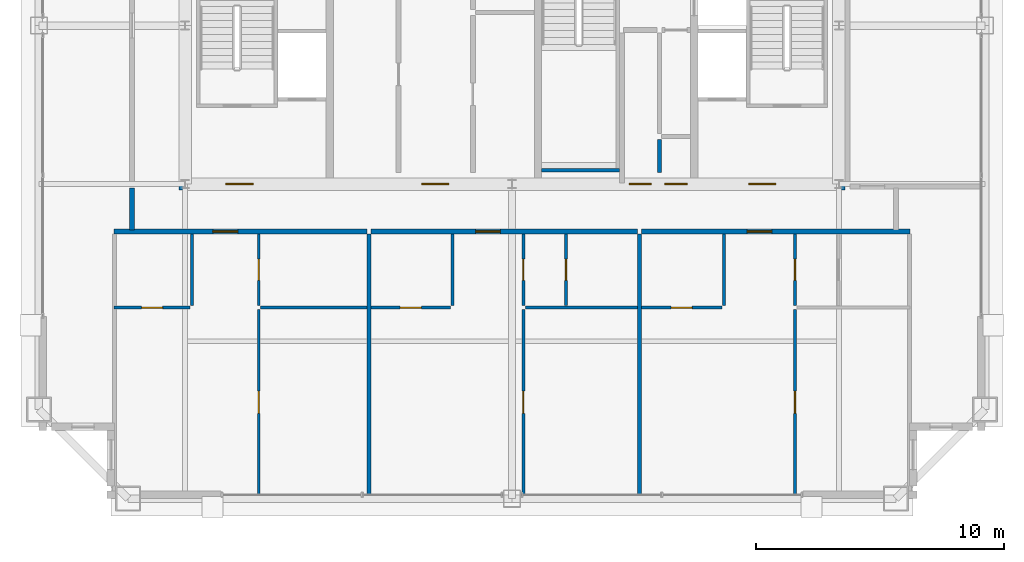
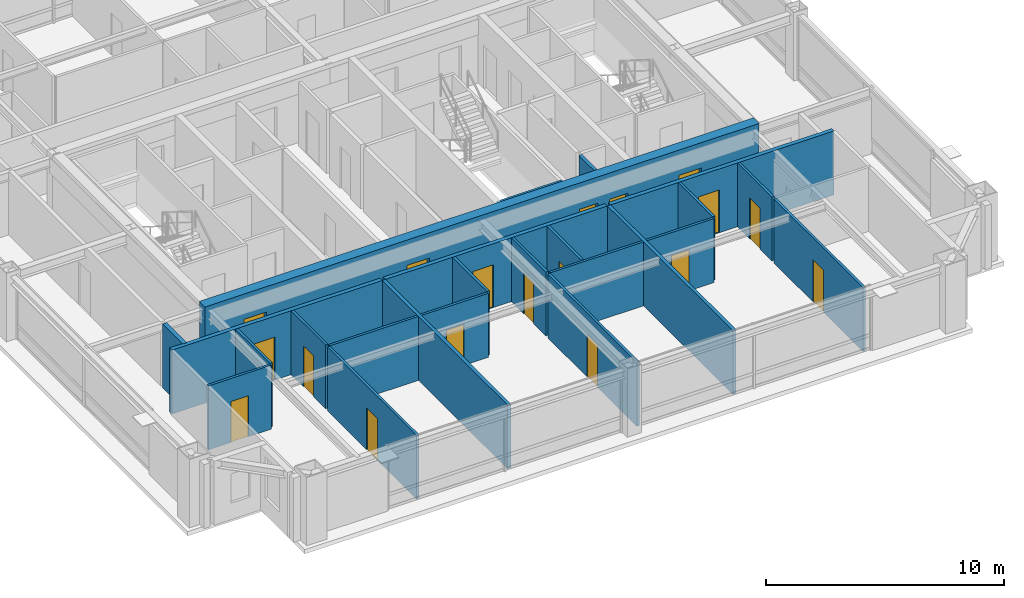
# One storey, part 30 of 35: 24 walls, 18 doors, 18 openings.
"""IFC4 building model written with IfcOpenShell, lengths in metres."""

import ifcopenshell
import ifcopenshell.guid

model = None  # the IFC model being written
_history = None  # IfcOwnerHistory: only IFC2X3 demands one
_inside = {}  # id of a spatial element -> (the spatial element, [elements in it])
_under = {}  # id of a project, library or spatial element -> (it, [spatial elements below it])
_declared = {}  # id of a project -> (the project, [libraries it declares])
_typed = {}  # id of a type object -> (the type object, [elements of that type])
_made_of = {}  # id of a material, layer set ... -> (it, [elements and type objects made of it])


def new_model(schema):
    """Start an empty IFC model of exactly this schema.

    Asked for "IFC4X3", IfcOpenShell would pick the latest addendum, in which some entities
    have other attributes; the version numbers below select the first issue.
    IFC2X3 requires an IfcOwnerHistory on every rooted entity: one is made here for all.
    """
    global model, _history
    if schema == "IFC4X3":
        model = ifcopenshell.file(schema_version=(4, 3, 0, 0))
    else:
        model = ifcopenshell.file(schema=schema)
    _inside.clear()
    _under.clear()
    _declared.clear()
    _typed.clear()
    _made_of.clear()
    _history = None
    if model.schema == "IFC2X3":
        org = make("IfcOrganization", Name="unknown")
        user = make(
            "IfcPersonAndOrganization",
            ThePerson=make("IfcPerson", FamilyName="unknown"),
            TheOrganization=org,
        )
        app = make(
            "IfcApplication",
            ApplicationDeveloper=org,
            Version="unknown",
            ApplicationFullName="unknown",
            ApplicationIdentifier="unknown",
        )
        _history = make(
            "IfcOwnerHistory",
            OwningUser=user,
            OwningApplication=app,
            ChangeAction="ADDED",
            CreationDate=0,
        )
    return model


def make(cls, **values):
    """One entity of the class cls with the attributes given. An attribute that is None is left unset."""
    return model.create_entity(
        cls, **{name: value for name, value in values.items() if value is not None}
    )


def rooted(cls, **values):
    """An entity with a GlobalId (a new one), such as an element, a storey or a relation."""
    return make(cls, GlobalId=ifcopenshell.guid.new(), OwnerHistory=_history, **values)


def si_unit(unit_type, name, prefix=None):
    """IfcSIUnit, for example si_unit("LENGTHUNIT", "METRE", prefix="MILLI")."""
    return make("IfcSIUnit", UnitType=unit_type, Prefix=prefix, Name=name)


def assignment(units):
    """IfcUnitAssignment: the units of a project."""
    return None if units is None else make("IfcUnitAssignment", Units=units)


def point(xyz):
    """IfcCartesianPoint."""
    return None if xyz is None else make("IfcCartesianPoint", Coordinates=xyz)


def direction(xyz):
    """IfcDirection."""
    return None if xyz is None else make("IfcDirection", DirectionRatios=xyz)


def frame(location, z_axis=None, x_axis=None):
    """IfcAxis2Placement3D, a coordinate frame: its origin and axes. An axis left out is left unset."""
    return make(
        "IfcAxis2Placement3D",
        Location=point(location),
        Axis=direction(z_axis),
        RefDirection=direction(x_axis),
    )


def frame_2d(location, x_axis=None):
    """IfcAxis2Placement2D, a coordinate frame in the plane: its origin and x axis."""
    return make(
        "IfcAxis2Placement2D", Location=point(location), RefDirection=direction(x_axis)
    )


def origin():
    """The frame at (0, 0, 0) with its axes left unset."""
    return frame((0.0, 0.0, 0.0))


def place(relative_to, where):
    """IfcLocalPlacement: puts the frame where relative to a parent placement (None: the world)."""
    return make(
        "IfcLocalPlacement", PlacementRelTo=relative_to, RelativePlacement=where
    )


def context(
    kind, dimensions, precision=None, world=None, true_north=None, identifier=None
):
    """IfcGeometricRepresentationContext, for example the 3D "Model" context."""
    return make(
        "IfcGeometricRepresentationContext",
        ContextIdentifier=identifier,
        ContextType=kind,
        CoordinateSpaceDimension=dimensions,
        Precision=precision,
        WorldCoordinateSystem=world,
        TrueNorth=true_north,
    )


def subcontext(parent, identifier, kind, view, scale=None):
    """IfcGeometricRepresentationSubContext, for example "Body" below "Model"."""
    return make(
        "IfcGeometricRepresentationSubContext",
        ContextIdentifier=identifier,
        ContextType=kind,
        ParentContext=parent,
        TargetScale=scale,
        TargetView=view,
    )


def project(units=None, contexts=None):
    """IfcProject with its units and contexts."""
    return rooted(
        "IfcProject",
        Name="project",
        RepresentationContexts=contexts,
        UnitsInContext=assignment(units),
    )


def spatial(cls, under=None, at=None, **own):
    """A site, building, storey or space (cls), placed at a placement, below another one or the project."""
    s = rooted(cls, ObjectPlacement=at, **own)
    if under is not None:
        _under.setdefault(under.id(), (under, []))[1].append(s)
    return s


def profile(cls, at=None, kind="AREA", **sizes):
    """A parametric profile (cls). Its sizes go by their IFC names, for example OverallWidth=200.0."""
    return make(cls, ProfileType=kind, Position=at, **sizes)


def rectangle(**sizes):
    """IfcRectangleProfileDef."""
    return profile("IfcRectangleProfileDef", **sizes)


def extrude(swept, where, along, depth):
    """IfcExtrudedAreaSolid: the profile swept, set in the frame where, extruded along a direction by depth."""
    return make(
        "IfcExtrudedAreaSolid",
        SweptArea=swept,
        Position=where,
        ExtrudedDirection=direction(along),
        Depth=depth,
    )


def shape(context_of_items, identifier, shape_type, items):
    """IfcShapeRepresentation: the items that make up one representation, for example the "Body"."""
    return make(
        "IfcShapeRepresentation",
        ContextOfItems=context_of_items,
        RepresentationIdentifier=identifier,
        RepresentationType=shape_type,
        Items=items,
    )


def source(mapping_origin, context_of_items, identifier, shape_type, items):
    """IfcRepresentationMap: a shape defined once, which mapped items show again and again."""
    return make(
        "IfcRepresentationMap",
        MappingOrigin=mapping_origin,
        MappedRepresentation=shape(context_of_items, identifier, shape_type, items),
    )


def transform(
    local_origin,
    x_axis=None,
    y_axis=None,
    z_axis=None,
    scale=None,
    scale2=None,
    scale3=None,
    uniform=True,
):
    """IfcCartesianTransformationOperator3D, or its non-uniform kind. x_axis, y_axis, z_axis: its Axis1, 2, 3."""
    if uniform:
        return make(
            "IfcCartesianTransformationOperator3D",
            Axis1=direction(x_axis),
            Axis2=direction(y_axis),
            LocalOrigin=point(local_origin),
            Scale=scale,
            Axis3=direction(z_axis),
        )
    return make(
        "IfcCartesianTransformationOperator3DnonUniform",
        Axis1=direction(x_axis),
        Axis2=direction(y_axis),
        LocalOrigin=point(local_origin),
        Scale=scale,
        Axis3=direction(z_axis),
        Scale2=scale2,
        Scale3=scale3,
    )


def mapped(mapping_source, mapping_target):
    """IfcMappedItem: shows the shape of a source again, moved by a transform."""
    return make(
        "IfcMappedItem", MappingSource=mapping_source, MappingTarget=mapping_target
    )


def material(Name=None, Category=None):
    """IfcMaterial."""
    return make("IfcMaterial", Name=Name, Category=Category)


def layer(
    of_material, thickness, ventilated=None, Name=None, Category=None, Priority=None
):
    """IfcMaterialLayer: one layer of a wall or slab, of a material (None: an air gap)."""
    return make(
        "IfcMaterialLayer",
        Material=of_material,
        LayerThickness=thickness,
        IsVentilated=ventilated,
        Name=Name,
        Category=Category,
        Priority=Priority,
    )


def layer_set(layers, Name=None):
    """IfcMaterialLayerSet."""
    return make("IfcMaterialLayerSet", MaterialLayers=layers, LayerSetName=Name)


def made_of(thing, what):
    """Note that an element or type object is made of a material, layer set ...; save() writes the relation."""
    if what is not None:
        _made_of.setdefault(what.id(), (what, []))[1].append(thing)
    return thing


def type_object(cls, material=None, **own):
    """A type object (cls), such as IfcWallType, which elements share."""
    return made_of(rooted(cls, **own), material)


def element(
    cls,
    number,
    at=None,
    inside=None,
    cuts=None,
    type_object=None,
    material=None,
    context=None,
    identifier="Body",
    shape_type=None,
    held_by="IfcProductDefinitionShape",
    body=None,
    shapes=None,
    **own,
):
    """One element of the class cls, such as IfcWall. Its Tag is "e" and its number.

    at: its placement. inside: the storey or other place that contains it. cuts: it is an
    opening in that element (IfcRelVoidsElement). A single representation is given by context,
    identifier, shape_type and body (its items); several are given by shapes. held_by: the class
    of the entity that holds the representations. save() writes the other relations.
    """
    e = rooted(cls, Tag="e%d" % number, ObjectPlacement=at, **own)
    if body is not None:
        shapes = [shape(context, identifier, shape_type, body)]
    if shapes is not None:
        e.Representation = make(held_by, Representations=shapes)
    if inside is not None:
        _inside.setdefault(inside.id(), (inside, []))[1].append(e)
    if cuts is not None:
        rooted(
            "IfcRelVoidsElement", RelatingBuildingElement=cuts, RelatedOpeningElement=e
        )
    if type_object is not None:
        _typed.setdefault(type_object.id(), (type_object, []))[1].append(e)
    return made_of(e, material)


def fill(opening, filler):
    """IfcRelFillsElement: the door or window that sits in an opening."""
    return rooted(
        "IfcRelFillsElement",
        RelatingOpeningElement=opening,
        RelatedBuildingElement=filler,
    )


def aggregate(whole, parts):
    """IfcRelAggregates: a whole, such as a stair, and the parts it consists of."""
    return rooted("IfcRelAggregates", RelatingObject=whole, RelatedObjects=parts)


def save(model, path):
    """Write the relations noted so far, then the file.

    IfcRelAggregates (storeys below a building ...), IfcRelContainedInSpatialStructure (elements
    in a storey), IfcRelDefinesByType, IfcRelAssociatesMaterial and IfcRelDeclares: one each for
    every whole, place, type object, material and project.
    """
    for whole, parts in _under.values():
        aggregate(whole, parts)
    for where, things in _inside.values():
        rooted(
            "IfcRelContainedInSpatialStructure",
            RelatedElements=things,
            RelatingStructure=where,
        )
    for kind, things in _typed.values():
        rooted("IfcRelDefinesByType", RelatedObjects=things, RelatingType=kind)
    for what, things in _made_of.values():
        rooted("IfcRelAssociatesMaterial", RelatedObjects=things, RelatingMaterial=what)
    for by, libraries in _declared.values():
        rooted("IfcRelDeclares", RelatingContext=by, RelatedDefinitions=libraries)
    model.write(path)


model = new_model("IFC4")

# Units and contexts
model_context = context("Model", 3, precision=1e-05, world=origin(), true_north=direction((0.0, 1.0)))
body_context = subcontext(model_context, "Body", "Model", "MODEL_VIEW")
ifc_project = project(units=[si_unit("LENGTHUNIT", "METRE"), si_unit("AREAUNIT", "SQUARE_METRE"), si_unit("VOLUMEUNIT", "CUBIC_METRE"), si_unit("PLANEANGLEUNIT", "RADIAN"), si_unit("MASSUNIT", "GRAM", prefix="KILO"), si_unit("THERMODYNAMICTEMPERATUREUNIT", "KELVIN"), si_unit("POWERUNIT", "WATT")], contexts=[model_context])

# Site, building, storey
site_placement = place(None, origin())
site = spatial("IfcSite", under=ifc_project, at=site_placement, CompositionType="ELEMENT")
building_placement = place(site_placement, origin())
building = spatial("IfcBuilding", under=site, at=building_placement, Name="Yuzanri Waterfront Tower", CompositionType="ELEMENT")
storey_placement = place(building_placement, frame((0.0, 0.0, 311.199951171875)))
storey = spatial("IfcBuildingStorey", under=building, at=storey_placement, Name="L83", CompositionType="ELEMENT", Elevation=311.199951171875)

# Wall, opening, door
ifc_material_1 = material(Name="Moisture-Resistant Gypsum Stud Wall", Category="gypsum")
ifc_layer_1 = layer(ifc_material_1, 0.1201171875)
ifc_layer_set_1 = layer_set([ifc_layer_1], Name="Moisture-Resistant Gypsum Stud Wall")
wall_type_1 = type_object("IfcWallType", Name="Bathroom and Kitchen Wet Partition 120", PredefinedType="PARTITIONING", material=ifc_layer_set_1)
wall_1_placement = place(storey_placement, frame((20.93994140625, 14.409912109375, 0.0), z_axis=(0.0, 0.0, 1.0), x_axis=(1.0, 0.0, 0.0)))
wall_1 = element("IfcWall", 1, at=wall_1_placement, inside=storey, type_object=wall_type_1, Name="L83 Partition UW-L83-HS1-SUB-1-S", PredefinedType="PARTITIONING", context=body_context, shape_type="SweptSolid", body=[
    extrude(rectangle(XDim=3.05908203125, YDim=0.1201171875, at=frame_2d((1.529541015625, 0.0))), origin(), (0.0, 0.0, 1.0), 3.280029296875),
])
opening_1_placement = place(wall_1_placement, frame((1.1044921875, 0.0, 0.0)))
opening_1 = element("IfcOpeningElement", 2, at=opening_1_placement, cuts=wall_1, Name="Opening ID-0850", PredefinedType="OPENING", context=body_context, shape_type="SweptSolid", body=[
    extrude(rectangle(XDim=0.85009765625, YDim=2.10009765625, at=frame_2d((0.425048828125, 1.050048828125))), frame((0.0, 0.074951171875, 0.0), z_axis=(0.0, -1.0, 0.0), x_axis=(1.0, 0.0, 0.0)), (0.0, 0.0, 1.0), 0.14990234375),
])
ifc_material_2 = material(Name="Moisture-Resistant Lacquered Timber", Category="wood")
door_type_1 = type_object("IfcDoorType", Name="En-Suite Bathroom and Kitchen Swing Door 850x2100", OperationType="NOTDEFINED", PredefinedType="DOOR", material=ifc_material_2)
shared_shape_1 = source(origin(), body_context, "Body", "SweptSolid", [
    extrude(rectangle(XDim=0.85009765625, YDim=2.10009765625, at=frame_2d((0.425048828125, 1.050048828125))), frame((0.0, 0.02490234375, 0.0), z_axis=(0.0, -1.0, 0.0), x_axis=(1.0, 0.0, 0.0)), (0.0, 0.0, 1.0), 0.050048828125),
])
door_1_placement = place(opening_1_placement, origin())
door_1 = element("IfcDoor", 3, at=door_1_placement, inside=storey, type_object=door_type_1, Name="L83 Suite Interior Room Door", OperationType="SINGLE_SWING_LEFT", OverallHeight=2.10009765625, OverallWidth=0.85009765625, PredefinedType="DOOR", context=body_context, shape_type="MappedRepresentation", body=[
    mapped(shared_shape_1, transform((0.0, 0.0, 0.0), scale=1.0)),
])
fill(opening_1, door_1)

wall_2_placement = place(storey_placement, frame((26.77490234375, 14.489990234375, 0.0), z_axis=(0.0, 0.0, 1.0), x_axis=(0.0, 1.0, 0.0)))
wall_2 = element("IfcWall", 4, at=wall_2_placement, inside=storey, type_object=wall_type_1, Name="L83 Partition UW-L83-HS1-SUB-2-W", PredefinedType="PARTITIONING", context=body_context, shape_type="SweptSolid", body=[
    extrude(rectangle(XDim=2.89990234375, YDim=0.1201171875, at=frame_2d((1.449951171875, 0.0))), origin(), (0.0, 0.0, 1.0), 3.280029296875),
])
opening_2_placement = place(wall_2_placement, frame((1.02490234375, 0.0, 0.0)))
opening_2 = element("IfcOpeningElement", 5, at=opening_2_placement, cuts=wall_2, Name="Opening ID-0850", PredefinedType="OPENING", context=body_context, shape_type="SweptSolid", body=[
    extrude(rectangle(XDim=0.85009765625, YDim=2.10009765625, at=frame_2d((0.425048828125, 1.050048828125))), frame((0.0, 0.074951171875, 0.0), z_axis=(0.0, -1.0, 0.0), x_axis=(1.0, 0.0, 0.0)), (0.0, 0.0, 1.0), 0.14990234375),
])
door_2_placement = place(opening_2_placement, origin())
door_2 = element("IfcDoor", 6, at=door_2_placement, inside=storey, type_object=door_type_1, Name="L83 Suite Interior Room Door", OperationType="SINGLE_SWING_RIGHT", OverallHeight=2.10009765625, OverallWidth=0.85009765625, PredefinedType="DOOR", context=body_context, shape_type="MappedRepresentation", body=[
    mapped(shared_shape_1, transform((0.0, 0.0, 0.0), scale=1.0)),
])
fill(opening_2, door_2)

wall_3_placement = place(storey_placement, frame((26.77490234375, 6.85009765625, 0.0), z_axis=(0.0, 0.0, 1.0), x_axis=(0.0, 1.0, 0.0)))
wall_3 = element("IfcWall", 7, at=wall_3_placement, inside=storey, type_object=wall_type_1, Name="L83 Partition UW-L83-HS1-SUB-3-W", PredefinedType="PARTITIONING", context=body_context, shape_type="SweptSolid", body=[
    extrude(rectangle(XDim=7.47998046875, YDim=0.1201171875, at=frame_2d((3.739990234375, 0.0))), origin(), (0.0, 0.0, 1.0), 3.280029296875),
])
opening_3_placement = place(wall_3_placement, frame((3.2900390625, 0.0, 0.0)))
opening_3 = element("IfcOpeningElement", 8, at=opening_3_placement, cuts=wall_3, Name="Opening ID-0900", PredefinedType="OPENING", context=body_context, shape_type="SweptSolid", body=[
    extrude(rectangle(XDim=0.89990234375, YDim=2.14990234375, at=frame_2d((0.449951171875, 1.074951171875))), frame((0.0, 0.074951171875, 0.0), z_axis=(0.0, -1.0, 0.0), x_axis=(1.0, 0.0, 0.0)), (0.0, 0.0, 1.0), 0.14990234375),
])
ifc_material_3 = material(Name="Stained Walnut Veneer Timber", Category="wood")
door_type_2 = type_object("IfcDoorType", Name="Bedroom and Study Interior Swing Door 900x2150", OperationType="NOTDEFINED", PredefinedType="DOOR", material=ifc_material_3)
shared_shape_2 = source(origin(), body_context, "Body", "SweptSolid", [
    extrude(rectangle(XDim=0.89990234375, YDim=2.14990234375, at=frame_2d((0.449951171875, 1.074951171875))), frame((0.0, 0.02490234375, 0.0), z_axis=(0.0, -1.0, 0.0), x_axis=(1.0, 0.0, 0.0)), (0.0, 0.0, 1.0), 0.050048828125),
])
door_3_placement = place(opening_3_placement, origin())
door_3 = element("IfcDoor", 9, at=door_3_placement, inside=storey, type_object=door_type_2, Name="L83 Suite Interior Room Door", OperationType="SINGLE_SWING_LEFT", OverallHeight=2.14990234375, OverallWidth=0.89990234375, PredefinedType="DOOR", context=body_context, shape_type="MappedRepresentation", body=[
    mapped(shared_shape_2, transform((0.0, 0.0, 0.0), scale=1.0)),
])
fill(opening_3, door_3)

wall_4_placement = place(storey_placement, frame((31.298095703125, 14.409912109375, 0.0), z_axis=(0.0, 0.0, 1.0), x_axis=(1.0, 0.0, 0.0)))
wall_4 = element("IfcWall", 10, at=wall_4_placement, inside=storey, type_object=wall_type_1, Name="L83 Partition UW-L83-HS2-SUB-1-S", PredefinedType="PARTITIONING", context=body_context, shape_type="SweptSolid", body=[
    extrude(rectangle(XDim=3.227783203125, YDim=0.1201171875, at=frame_2d((1.61376953125, 0.0))), origin(), (0.0, 0.0, 1.0), 3.280029296875),
])
opening_4_placement = place(wall_4_placement, frame((1.18896484375, 0.0, 0.0)))
opening_4 = element("IfcOpeningElement", 11, at=opening_4_placement, cuts=wall_4, Name="Opening ID-0850", PredefinedType="OPENING", context=body_context, shape_type="SweptSolid", body=[
    extrude(rectangle(XDim=0.85009765625, YDim=2.10009765625, at=frame_2d((0.425048828125, 1.050048828125))), frame((0.0, 0.074951171875, 0.0), z_axis=(0.0, -1.0, 0.0), x_axis=(1.0, 0.0, 0.0)), (0.0, 0.0, 1.0), 0.14990234375),
])
door_4_placement = place(opening_4_placement, origin())
door_4 = element("IfcDoor", 12, at=door_4_placement, inside=storey, type_object=door_type_1, Name="L83 Suite Interior Room Door", OperationType="SINGLE_SWING_LEFT", OverallHeight=2.10009765625, OverallWidth=0.85009765625, PredefinedType="DOOR", context=body_context, shape_type="MappedRepresentation", body=[
    mapped(shared_shape_1, transform((0.0, 0.0, 0.0), scale=1.0)),
])
fill(opening_4, door_4)

wall_5_placement = place(storey_placement, frame((39.178955078125, 14.489990234375, 0.0), z_axis=(0.0, 0.0, 1.0), x_axis=(0.0, 1.0, 0.0)))
wall_5 = element("IfcWall", 13, at=wall_5_placement, inside=storey, type_object=wall_type_1, Name="L83 Partition UW-L83-HS2-SUB-2-W", PredefinedType="PARTITIONING", context=body_context, shape_type="SweptSolid", body=[
    extrude(rectangle(XDim=2.89990234375, YDim=0.1201171875, at=frame_2d((1.449951171875, 0.0))), origin(), (0.0, 0.0, 1.0), 3.280029296875),
])
opening_5_placement = place(wall_5_placement, frame((1.02490234375, 0.0, 0.0)))
opening_5 = element("IfcOpeningElement", 14, at=opening_5_placement, cuts=wall_5, Name="Opening ID-0850", PredefinedType="OPENING", context=body_context, shape_type="SweptSolid", body=[
    extrude(rectangle(XDim=0.85009765625, YDim=2.10009765625, at=frame_2d((0.425048828125, 1.050048828125))), frame((0.0, 0.074951171875, 0.0), z_axis=(0.0, -1.0, 0.0), x_axis=(1.0, 0.0, 0.0)), (0.0, 0.0, 1.0), 0.14990234375),
])
door_5_placement = place(opening_5_placement, origin())
door_5 = element("IfcDoor", 15, at=door_5_placement, inside=storey, type_object=door_type_1, Name="L83 Suite Interior Room Door", OperationType="SINGLE_SWING_RIGHT", OverallHeight=2.10009765625, OverallWidth=0.85009765625, PredefinedType="DOOR", context=body_context, shape_type="MappedRepresentation", body=[
    mapped(shared_shape_1, transform((0.0, 0.0, 0.0), scale=1.0)),
])
fill(opening_5, door_5)

wall_6_placement = place(storey_placement, frame((37.458984375, 6.85009765625, 0.0), z_axis=(0.0, 0.0, 1.0), x_axis=(0.0, 1.0, 0.0)))
wall_6 = element("IfcWall", 16, at=wall_6_placement, inside=storey, type_object=wall_type_1, Name="L83 Partition UW-L83-HS2-SUB-3-W", PredefinedType="PARTITIONING", context=body_context, shape_type="SweptSolid", body=[
    extrude(rectangle(XDim=7.47998046875, YDim=0.1201171875, at=frame_2d((3.739990234375, 0.0))), origin(), (0.0, 0.0, 1.0), 3.280029296875),
])
opening_6_placement = place(wall_6_placement, frame((3.2900390625, 0.0, 0.0)))
opening_6 = element("IfcOpeningElement", 17, at=opening_6_placement, cuts=wall_6, Name="Opening ID-0900", PredefinedType="OPENING", context=body_context, shape_type="SweptSolid", body=[
    extrude(rectangle(XDim=0.89990234375, YDim=2.14990234375, at=frame_2d((0.449951171875, 1.074951171875))), frame((0.0, 0.074951171875, 0.0), z_axis=(0.0, -1.0, 0.0), x_axis=(1.0, 0.0, 0.0)), (0.0, 0.0, 1.0), 0.14990234375),
])
door_6_placement = place(opening_6_placement, origin())
door_6 = element("IfcDoor", 18, at=door_6_placement, inside=storey, type_object=door_type_2, Name="L83 Suite Interior Room Door", OperationType="SINGLE_SWING_LEFT", OverallHeight=2.14990234375, OverallWidth=0.89990234375, PredefinedType="DOOR", context=body_context, shape_type="MappedRepresentation", body=[
    mapped(shared_shape_2, transform((0.0, 0.0, 0.0), scale=1.0)),
])
fill(opening_6, door_6)

wall_7_placement = place(storey_placement, frame((37.458984375, 14.489990234375, 0.0), z_axis=(0.0, 0.0, 1.0), x_axis=(0.0, 1.0, 0.0)))
wall_7 = element("IfcWall", 19, at=wall_7_placement, inside=storey, type_object=wall_type_1, Name="L83 Partition UW-L83-HS2-SUB-4-W", PredefinedType="PARTITIONING", context=body_context, shape_type="SweptSolid", body=[
    extrude(rectangle(XDim=2.89990234375, YDim=0.1201171875, at=frame_2d((1.449951171875, 0.0))), origin(), (0.0, 0.0, 1.0), 3.280029296875),
])
opening_7_placement = place(wall_7_placement, frame((1.02490234375, 0.0, 0.0)))
opening_7 = element("IfcOpeningElement", 20, at=opening_7_placement, cuts=wall_7, Name="Opening ID-0850", PredefinedType="OPENING", context=body_context, shape_type="SweptSolid", body=[
    extrude(rectangle(XDim=0.85009765625, YDim=2.10009765625, at=frame_2d((0.425048828125, 1.050048828125))), frame((0.0, 0.074951171875, 0.0), z_axis=(0.0, -1.0, 0.0), x_axis=(1.0, 0.0, 0.0)), (0.0, 0.0, 1.0), 0.14990234375),
])
door_7_placement = place(opening_7_placement, origin())
door_7 = element("IfcDoor", 21, at=door_7_placement, inside=storey, type_object=door_type_1, Name="L83 Suite Interior Room Door", OperationType="SINGLE_SWING_RIGHT", OverallHeight=2.10009765625, OverallWidth=0.85009765625, PredefinedType="DOOR", context=body_context, shape_type="MappedRepresentation", body=[
    mapped(shared_shape_1, transform((0.0, 0.0, 0.0), scale=1.0)),
])
fill(opening_7, door_7)

wall_8_placement = place(storey_placement, frame((42.218994140625, 14.409912109375, 0.0), z_axis=(0.0, 0.0, 1.0), x_axis=(1.0, 0.0, 0.0)))
wall_8 = element("IfcWall", 22, at=wall_8_placement, inside=storey, type_object=wall_type_1, Name="L83 Partition UW-L83-HS3-SUB-1-S", PredefinedType="PARTITIONING", context=body_context, shape_type="SweptSolid", body=[
    extrude(rectangle(XDim=3.251953125, YDim=0.1201171875, at=frame_2d((1.6259765625, 0.0))), origin(), (0.0, 0.0, 1.0), 3.280029296875),
])
opening_8_placement = place(wall_8_placement, frame((1.200927734375, 0.0, 0.0)))
opening_8 = element("IfcOpeningElement", 23, at=opening_8_placement, cuts=wall_8, Name="Opening ID-0850", PredefinedType="OPENING", context=body_context, shape_type="SweptSolid", body=[
    extrude(rectangle(XDim=0.85009765625, YDim=2.10009765625, at=frame_2d((0.425048828125, 1.050048828125))), frame((0.0, 0.074951171875, 0.0), z_axis=(0.0, -1.0, 0.0), x_axis=(1.0, 0.0, 0.0)), (0.0, 0.0, 1.0), 0.14990234375),
])
door_8_placement = place(opening_8_placement, origin())
door_8 = element("IfcDoor", 24, at=door_8_placement, inside=storey, type_object=door_type_1, Name="L83 Suite Interior Room Door", OperationType="SINGLE_SWING_RIGHT", OverallHeight=2.10009765625, OverallWidth=0.85009765625, PredefinedType="DOOR", context=body_context, shape_type="MappedRepresentation", body=[
    mapped(shared_shape_1, transform((0.0, 0.0, 0.0), scale=1.0)),
])
fill(opening_8, door_8)

wall_9_placement = place(storey_placement, frame((48.427001953125, 6.85009765625, 0.0), z_axis=(0.0, 0.0, 1.0), x_axis=(0.0, 1.0, 0.0)))
wall_9 = element("IfcWall", 25, at=wall_9_placement, inside=storey, type_object=wall_type_1, Name="L83 Partition UW-L83-HS3-SUB-3-W", PredefinedType="PARTITIONING", context=body_context, shape_type="SweptSolid", body=[
    extrude(rectangle(XDim=7.47998046875, YDim=0.1201171875, at=frame_2d((3.739990234375, 0.0))), origin(), (0.0, 0.0, 1.0), 3.280029296875),
])
opening_9_placement = place(wall_9_placement, frame((3.2900390625, 0.0, 0.0)))
opening_9 = element("IfcOpeningElement", 26, at=opening_9_placement, cuts=wall_9, Name="Opening ID-0900", PredefinedType="OPENING", context=body_context, shape_type="SweptSolid", body=[
    extrude(rectangle(XDim=0.89990234375, YDim=2.14990234375, at=frame_2d((0.449951171875, 1.074951171875))), frame((0.0, 0.074951171875, 0.0), z_axis=(0.0, -1.0, 0.0), x_axis=(1.0, 0.0, 0.0)), (0.0, 0.0, 1.0), 0.14990234375),
])
door_9_placement = place(opening_9_placement, origin())
door_9 = element("IfcDoor", 27, at=door_9_placement, inside=storey, type_object=door_type_2, Name="L83 Suite Interior Room Door", OperationType="SINGLE_SWING_RIGHT", OverallHeight=2.14990234375, OverallWidth=0.89990234375, PredefinedType="DOOR", context=body_context, shape_type="MappedRepresentation", body=[
    mapped(shared_shape_2, transform((0.0, 0.0, 0.0), scale=1.0)),
])
fill(opening_9, door_9)

wall_10_placement = place(storey_placement, frame((48.427001953125, 14.489990234375, 0.0), z_axis=(0.0, 0.0, 1.0), x_axis=(0.0, 1.0, 0.0)))
wall_10 = element("IfcWall", 28, at=wall_10_placement, inside=storey, type_object=wall_type_1, Name="L83 Partition UW-L83-HS3-SUB-4-W", PredefinedType="PARTITIONING", context=body_context, shape_type="SweptSolid", body=[
    extrude(rectangle(XDim=2.89990234375, YDim=0.1201171875, at=frame_2d((1.449951171875, 0.0))), origin(), (0.0, 0.0, 1.0), 3.280029296875),
])
opening_10_placement = place(wall_10_placement, frame((1.02490234375, 0.0, 0.0)))
opening_10 = element("IfcOpeningElement", 29, at=opening_10_placement, cuts=wall_10, Name="Opening ID-0850", PredefinedType="OPENING", context=body_context, shape_type="SweptSolid", body=[
    extrude(rectangle(XDim=0.85009765625, YDim=2.10009765625, at=frame_2d((0.425048828125, 1.050048828125))), frame((0.0, 0.074951171875, 0.0), z_axis=(0.0, -1.0, 0.0), x_axis=(1.0, 0.0, 0.0)), (0.0, 0.0, 1.0), 0.14990234375),
])
door_10_placement = place(opening_10_placement, origin())
door_10 = element("IfcDoor", 30, at=door_10_placement, inside=storey, type_object=door_type_1, Name="L83 Suite Interior Room Door", OperationType="SINGLE_SWING_LEFT", OverallHeight=2.10009765625, OverallWidth=0.85009765625, PredefinedType="DOOR", context=body_context, shape_type="MappedRepresentation", body=[
    mapped(shared_shape_1, transform((0.0, 0.0, 0.0), scale=1.0)),
])
fill(opening_10, door_10)

# Wall, openings, doors
ifc_material_4 = material(Name="Concrete C45", Category="concrete")
ifc_layer_2 = layer(ifc_material_4, 0.47998046875)
ifc_layer_set_2 = layer_set([ifc_layer_2], Name="Concrete C45")
wall_type_2 = type_object("IfcWallType", Name="Concrete C45 High-Rise Core Shear Wall 480", PredefinedType="SHEAR", material=ifc_layer_set_2)
wall_11_placement = place(storey_placement, frame((23.56005859375, 19.39990234375, 0.0), z_axis=(0.0, 0.0, 1.0), x_axis=(1.0, 0.0, 0.0)))
wall_11 = element("IfcWall", 31, at=wall_11_placement, inside=storey, type_object=wall_type_2, Name="L83 Core South Shear Wall", PredefinedType="SHEAR", context=body_context, shape_type="SweptSolid", body=[
    extrude(rectangle(XDim=26.8798828125, YDim=0.47998046875, at=frame_2d((13.43994140625, 0.0))), origin(), (0.0, 0.0, 1.0), 3.5),
])
opening_11_placement = place(wall_11_placement, frame((1.889892578125, 0.0, 0.0)))
opening_11 = element("IfcOpeningElement", 32, at=opening_11_placement, cuts=wall_11, Name="Opening FD-1100", PredefinedType="OPENING", context=body_context, shape_type="SweptSolid", body=[
    extrude(rectangle(XDim=1.10009765625, YDim=2.199951171875, at=frame_2d((0.550048828125, 1.10009765625))), frame((0.0, 0.2548828125, 0.0), z_axis=(0.0, -1.0, 0.0), x_axis=(1.0, 0.0, 0.0)), (0.0, 0.0, 1.0), 0.509765625),
])
opening_12_placement = place(wall_11_placement, frame((9.7900390625, 0.0, 0.0)))
opening_12 = element("IfcOpeningElement", 33, at=opening_12_placement, cuts=wall_11, Name="Opening FD-1100", PredefinedType="OPENING", context=body_context, shape_type="SweptSolid", body=[
    extrude(rectangle(XDim=1.10009765625, YDim=2.199951171875, at=frame_2d((0.550048828125, 1.10009765625))), frame((0.0, 0.2548828125, 0.0), z_axis=(0.0, -1.0, 0.0), x_axis=(1.0, 0.0, 0.0)), (0.0, 0.0, 1.0), 0.509765625),
])
opening_13_placement = place(wall_11_placement, frame((22.989990234375, 0.0, 0.0)))
opening_13 = element("IfcOpeningElement", 34, at=opening_13_placement, cuts=wall_11, Name="Opening FD-1100", PredefinedType="OPENING", context=body_context, shape_type="SweptSolid", body=[
    extrude(rectangle(XDim=1.10009765625, YDim=2.199951171875, at=frame_2d((0.550048828125, 1.10009765625))), frame((0.0, 0.2548828125, 0.0), z_axis=(0.0, -1.0, 0.0), x_axis=(1.0, 0.0, 0.0)), (0.0, 0.0, 1.0), 0.509765625),
])
opening_14_placement = place(wall_11_placement, frame((19.610107421875, 0.0, 0.0)))
opening_14 = element("IfcOpeningElement", 35, at=opening_14_placement, cuts=wall_11, Name="Opening FD-0900", PredefinedType="OPENING", context=body_context, shape_type="SweptSolid", body=[
    extrude(rectangle(XDim=0.89990234375, YDim=2.14990234375, at=frame_2d((0.449951171875, 1.074951171875))), frame((0.0, 0.2548828125, 0.0), z_axis=(0.0, -1.0, 0.0), x_axis=(1.0, 0.0, 0.0)), (0.0, 0.0, 1.0), 0.509765625),
])
opening_15_placement = place(wall_11_placement, frame((18.169921875, 0.0, 0.0)))
opening_15 = element("IfcOpeningElement", 36, at=opening_15_placement, cuts=wall_11, Name="Opening FD-0900", PredefinedType="OPENING", context=body_context, shape_type="SweptSolid", body=[
    extrude(rectangle(XDim=0.89990234375, YDim=2.14990234375, at=frame_2d((0.449951171875, 1.074951171875))), frame((0.0, 0.2548828125, 0.0), z_axis=(0.0, -1.0, 0.0), x_axis=(1.0, 0.0, 0.0)), (0.0, 0.0, 1.0), 0.509765625),
])
ifc_material_5 = material(Name="Painted Galvanized Fire Steel", Category="steel")
door_type_3 = type_object("IfcDoorType", Name="Smoke-Proof Stair and Lobby Fire Door 1100x2200", OperationType="NOTDEFINED", PredefinedType="DOOR", material=ifc_material_5)
shared_shape_3 = source(origin(), body_context, "Body", "SweptSolid", [
    extrude(rectangle(XDim=1.10009765625, YDim=2.199951171875, at=frame_2d((0.550048828125, 1.10009765625))), frame((0.0, 0.02490234375, 0.0), z_axis=(0.0, -1.0, 0.0), x_axis=(1.0, 0.0, 0.0)), (0.0, 0.0, 1.0), 0.050048828125),
])
door_11_placement = place(opening_11_placement, origin())
door_11 = element("IfcDoor", 37, at=door_11_placement, inside=storey, type_object=door_type_3, Name="L83 West Firefighting Lobby Door", OperationType="SINGLE_SWING_LEFT", OverallHeight=2.199951171875, OverallWidth=1.10009765625, PredefinedType="DOOR", context=body_context, shape_type="MappedRepresentation", body=[
    mapped(shared_shape_3, transform((0.0, 0.0, 0.0), scale=1.0)),
])
fill(opening_11, door_11)
door_12_placement = place(opening_12_placement, origin())
door_12 = element("IfcDoor", 38, at=door_12_placement, inside=storey, type_object=door_type_3, Name="L83 Central Lift Lobby South Door", OperationType="SINGLE_SWING_RIGHT", OverallHeight=2.199951171875, OverallWidth=1.10009765625, PredefinedType="DOOR", context=body_context, shape_type="MappedRepresentation", body=[
    mapped(shared_shape_3, transform((0.0, 0.0, 0.0), scale=1.0)),
])
fill(opening_12, door_12)
door_13_placement = place(opening_13_placement, origin())
door_13 = element("IfcDoor", 39, at=door_13_placement, inside=storey, type_object=door_type_3, Name="L83 East Firefighting Lobby Door", OperationType="SINGLE_SWING_LEFT", OverallHeight=2.199951171875, OverallWidth=1.10009765625, PredefinedType="DOOR", context=body_context, shape_type="MappedRepresentation", body=[
    mapped(shared_shape_3, transform((0.0, 0.0, 0.0), scale=1.0)),
])
fill(opening_13, door_13)
ifc_material_6 = material(Name="Painted Galvanized Fire Steel", Category="steel")
door_type_4 = type_object("IfcDoorType", Name="Riser and Service Room Fire Door 900x2150", OperationType="NOTDEFINED", PredefinedType="DOOR", material=ifc_material_6)
shared_shape_4 = source(origin(), body_context, "Body", "SweptSolid", [
    extrude(rectangle(XDim=0.89990234375, YDim=2.14990234375, at=frame_2d((0.449951171875, 1.074951171875))), frame((0.0, 0.02490234375, 0.0), z_axis=(0.0, -1.0, 0.0), x_axis=(1.0, 0.0, 0.0)), (0.0, 0.0, 1.0), 0.050048828125),
])
door_14_placement = place(opening_14_placement, origin())
door_14 = element("IfcDoor", 40, at=door_14_placement, inside=storey, type_object=door_type_4, Name="L83 East Wet Riser Door", OperationType="SINGLE_SWING_LEFT", OverallHeight=2.14990234375, OverallWidth=0.89990234375, PredefinedType="DOOR", context=body_context, shape_type="MappedRepresentation", body=[
    mapped(shared_shape_4, transform((0.0, 0.0, 0.0), scale=1.0)),
])
fill(opening_14, door_14)
door_15_placement = place(opening_15_placement, origin())
door_15 = element("IfcDoor", 41, at=door_15_placement, inside=storey, type_object=door_type_4, Name="L83 Cleaners Store Room", OperationType="SINGLE_SWING_RIGHT", OverallHeight=2.14990234375, OverallWidth=0.89990234375, PredefinedType="DOOR", context=body_context, shape_type="MappedRepresentation", body=[
    mapped(shared_shape_4, transform((0.0, 0.0, 0.0), scale=1.0)),
])
fill(opening_15, door_15)

# Wall, opening, door
ifc_material_7 = material(Name="Autoclaved Aerated Concrete Blockwork", Category="masonry")
ifc_layer_3 = layer(ifc_material_7, 0.199951171875)
ifc_layer_set_3 = layer_set([ifc_layer_3], Name="Autoclaved Aerated Concrete Blockwork")
wall_type_3 = type_object("IfcWallType", Name="Corridor and Unit Party Fire Wall 200", PredefinedType="PARTITIONING", material=ifc_layer_set_3)
wall_12_placement = place(storey_placement, frame((20.93994140625, 17.489990234375, 0.0), z_axis=(0.0, 0.0, 1.0), x_axis=(1.0, 0.0, 0.0)))
wall_12 = element("IfcWall", 42, at=wall_12_placement, inside=storey, type_object=wall_type_3, Name="L83 Partition UW-L83-HS1-CN", PredefinedType="PARTITIONING", context=body_context, shape_type="SweptSolid", body=[
    extrude(rectangle(XDim=10.197998046875, YDim=0.199951171875, at=frame_2d((5.09912109375, 0.0))), origin(), (0.0, 0.0, 1.0), 3.280029296875),
])
opening_16_placement = place(wall_12_placement, frame((3.987060546875, 0.0, 0.0)))
opening_16 = element("IfcOpeningElement", 43, at=opening_16_placement, cuts=wall_12, Name="Opening FD-1000", PredefinedType="OPENING", context=body_context, shape_type="SweptSolid", body=[
    extrude(rectangle(XDim=1.0, YDim=2.199951171875, at=frame_2d((0.5, 1.10009765625))), frame((0.0, 0.11474609375, 0.0), z_axis=(0.0, -1.0, 0.0), x_axis=(1.0, 0.0, 0.0)), (0.0, 0.0, 1.0), 0.229736328125),
])
ifc_material_8 = material(Name="Engineered Oak Fire-Rated Timber", Category="wood")
door_type_5 = type_object("IfcDoorType", Name="Guestroom and Apartment Entrance Fire Door 1000x2200", OperationType="NOTDEFINED", PredefinedType="DOOR", material=ifc_material_8)
shared_shape_5 = source(origin(), body_context, "Body", "SweptSolid", [
    extrude(rectangle(XDim=1.0, YDim=2.199951171875, at=frame_2d((0.5, 1.10009765625))), frame((0.0, 0.02490234375, 0.0), z_axis=(0.0, -1.0, 0.0), x_axis=(1.0, 0.0, 0.0)), (0.0, 0.0, 1.0), 0.050048828125),
])
door_16_placement = place(opening_16_placement, origin())
door_16 = element("IfcDoor", 44, at=door_16_placement, inside=storey, type_object=door_type_5, Name="L83 Apartment Living Room Entrance Door", OperationType="SINGLE_SWING_RIGHT", OverallHeight=2.199951171875, OverallWidth=1.0, PredefinedType="DOOR", context=body_context, shape_type="MappedRepresentation", body=[
    mapped(shared_shape_5, transform((0.0, 0.0, 0.0), scale=1.0)),
])
fill(opening_16, door_16)

wall_13_placement = place(storey_placement, frame((31.298095703125, 17.489990234375, 0.0), z_axis=(0.0, 0.0, 1.0), x_axis=(1.0, 0.0, 0.0)))
wall_13 = element("IfcWall", 45, at=wall_13_placement, inside=storey, type_object=wall_type_3, Name="L83 Partition UW-L83-HS2-CN", PredefinedType="PARTITIONING", context=body_context, shape_type="SweptSolid", body=[
    extrude(rectangle(XDim=10.760986328125, YDim=0.199951171875, at=frame_2d((5.38037109375, 0.0))), origin(), (0.0, 0.0, 1.0), 3.280029296875),
])
opening_17_placement = place(wall_13_placement, frame((4.23388671875, 0.0, 0.0)))
opening_17 = element("IfcOpeningElement", 46, at=opening_17_placement, cuts=wall_13, Name="Opening FD-1000", PredefinedType="OPENING", context=body_context, shape_type="SweptSolid", body=[
    extrude(rectangle(XDim=1.0, YDim=2.199951171875, at=frame_2d((0.5, 1.10009765625))), frame((0.0, 0.11474609375, 0.0), z_axis=(0.0, -1.0, 0.0), x_axis=(1.0, 0.0, 0.0)), (0.0, 0.0, 1.0), 0.229736328125),
])
door_17_placement = place(opening_17_placement, origin())
door_17 = element("IfcDoor", 47, at=door_17_placement, inside=storey, type_object=door_type_5, Name="L83 Apartment Living Room Entrance Door", OperationType="SINGLE_SWING_RIGHT", OverallHeight=2.199951171875, OverallWidth=1.0, PredefinedType="DOOR", context=body_context, shape_type="MappedRepresentation", body=[
    mapped(shared_shape_5, transform((0.0, 0.0, 0.0), scale=1.0)),
])
fill(opening_17, door_17)

wall_14_placement = place(storey_placement, frame((42.218994140625, 17.489990234375, 0.0), z_axis=(0.0, 0.0, 1.0), x_axis=(1.0, 0.0, 0.0)))
wall_14 = element("IfcWall", 48, at=wall_14_placement, inside=storey, type_object=wall_type_3, Name="L83 Partition UW-L83-HS3-CN", PredefinedType="PARTITIONING", context=body_context, shape_type="SweptSolid", body=[
    extrude(rectangle(XDim=10.841064453125, YDim=0.199951171875, at=frame_2d((5.42041015625, 0.0))), origin(), (0.0, 0.0, 1.0), 3.280029296875),
])
opening_18_placement = place(wall_14_placement, frame((4.27001953125, 0.0, 0.0)))
opening_18 = element("IfcOpeningElement", 49, at=opening_18_placement, cuts=wall_14, Name="Opening FD-1000", PredefinedType="OPENING", context=body_context, shape_type="SweptSolid", body=[
    extrude(rectangle(XDim=1.0, YDim=2.199951171875, at=frame_2d((0.5, 1.10009765625))), frame((0.0, 0.11474609375, 0.0), z_axis=(0.0, -1.0, 0.0), x_axis=(1.0, 0.0, 0.0)), (0.0, 0.0, 1.0), 0.229736328125),
])
door_18_placement = place(opening_18_placement, origin())
door_18 = element("IfcDoor", 50, at=door_18_placement, inside=storey, type_object=door_type_5, Name="L83 Apartment Living Room Entrance Door", OperationType="SINGLE_SWING_LEFT", OverallHeight=2.199951171875, OverallWidth=1.0, PredefinedType="DOOR", context=body_context, shape_type="MappedRepresentation", body=[
    mapped(shared_shape_5, transform((0.0, 0.0, 0.0), scale=1.0)),
])
fill(opening_18, door_18)

# Walls
ifc_material_9 = material(Name="Concrete C40", Category="concrete")
ifc_layer_4 = layer(ifc_material_9, 0.139892578125)
ifc_layer_set_4 = layer_set([ifc_layer_4], Name="Concrete C40")
wall_type_4 = type_object("IfcWallType", Name="Core Stair Liner and Hoistway Shaft Wall 140", PredefinedType="SOLIDWALL", material=ifc_layer_set_4)
shared_shape_6 = source(origin(), body_context, "Body", "SweptSolid", [
    extrude(rectangle(XDim=3.14013671875, YDim=0.139892578125, at=frame_2d((1.570068359375, 0.0))), origin(), (0.0, 0.0, 1.0), 3.280029296875),
])
wall_15_placement = place(storey_placement, frame((38.199951171875, 19.949951171875, 0.0), z_axis=(0.0, 0.0, 1.0), x_axis=(1.0, 0.0, 0.0)))
element("IfcWall", 51, at=wall_15_placement, inside=storey, type_object=wall_type_4, Name="L83 Stair ST-03 South Shaft Wall", PredefinedType="SOLIDWALL", context=body_context, shape_type="MappedRepresentation", body=[
    mapped(shared_shape_6, transform((0.0, 0.0, 0.0), scale=1.0)),
])
ifc_material_10 = material(Name="Gypsum Fireboard Acoustic Stud Wall", Category="gypsum")
ifc_layer_5 = layer(ifc_material_10, 0.159912109375)
ifc_layer_set_5 = layer_set([ifc_layer_5], Name="Gypsum Fireboard Acoustic Stud Wall")
wall_type_5 = type_object("IfcWallType", Name="Acoustic Suite Demising Partition 160", PredefinedType="PARTITIONING", material=ifc_layer_set_5)
shared_shape_7 = source(origin(), body_context, "Body", "SweptSolid", [
    extrude(rectangle(XDim=1.33984375, YDim=0.159912109375, at=frame_2d((0.669921875, 0.0))), origin(), (0.0, 0.0, 1.0), 3.280029296875),
])
wall_16_placement = place(storey_placement, frame((42.949951171875, 19.860107421875, 0.0), z_axis=(0.0, 0.0, 1.0), x_axis=(0.0, 1.0, 0.0)))
element("IfcWall", 52, at=wall_16_placement, inside=storey, type_object=wall_type_5, Name="L83 East Wet Riser West Wall", PredefinedType="PARTITIONING", context=body_context, shape_type="MappedRepresentation", body=[
    mapped(shared_shape_7, transform((0.0, 0.0, 0.0), scale=1.0)),
])
shared_shape_8 = source(origin(), body_context, "Body", "SweptSolid", [
    extrude(rectangle(XDim=1.699951171875, YDim=0.199951171875, at=frame_2d((0.85009765625, 0.0))), origin(), (0.0, 0.0, 1.0), 3.280029296875),
])
wall_17_placement = place(storey_placement, frame((21.64990234375, 17.550048828125, 0.0), z_axis=(0.0, 0.0, 1.0), x_axis=(0.0, 1.0, 0.0)))
element("IfcWall", 53, at=wall_17_placement, inside=storey, type_object=wall_type_3, Name="L83 South Foyer West End Wall", PredefinedType="PARTITIONING", context=body_context, shape_type="MappedRepresentation", body=[
    mapped(shared_shape_8, transform((0.0, 0.0, 0.0), scale=1.0)),
])
shared_shape_9 = source(origin(), body_context, "Body", "SweptSolid", [
    extrude(rectangle(XDim=10.539794921875, YDim=0.159912109375, at=frame_2d((5.27001953125, 0.0))), origin(), (0.0, 0.0, 1.0), 3.280029296875),
])
for number, where, z_axis, x_axis, name in (
    (54, (31.218017578125, 6.85009765625, 0.0), (0.0, 0.0, 1.0), (0.0, 1.0, 0.0), "L83-HS1 Party Wall"),
    (55, (42.138916015625, 6.85009765625, 0.0), (0.0, 0.0, 1.0), (0.0, 1.0, 0.0), "L83-HS2 Party Wall"),
):
    element("IfcWall", number, at=place(storey_placement, frame(where, z_axis=z_axis, x_axis=x_axis)), inside=storey, type_object=wall_type_5, Name=name, PredefinedType="PARTITIONING", context=body_context, shape_type="MappedRepresentation", body=[
        mapped(shared_shape_9, transform((0.0, 0.0, 0.0), scale=1.0)),
    ])
shared_shape_10 = source(origin(), body_context, "Body", "SweptSolid", [
    extrude(rectangle(XDim=2.89990234375, YDim=0.1201171875, at=frame_2d((1.449951171875, 0.0))), origin(), (0.0, 0.0, 1.0), 3.280029296875),
])
for number, where, z_axis, x_axis, name in (
    (56, (24.0791015625, 14.489990234375, 0.0), (0.0, 0.0, 1.0), (0.0, 1.0, 0.0), "L83 Partition UW-L83-HS1-SUB-1-E"),
    (57, (34.60595703125, 14.489990234375, 0.0), (0.0, 0.0, 1.0), (0.0, 1.0, 0.0), "L83 Partition UW-L83-HS2-SUB-1-E"),
    (58, (45.551025390625, 14.489990234375, 0.0), (0.0, 0.0, 1.0), (0.0, 1.0, 0.0), "L83 Partition UW-L83-HS3-SUB-1-E"),
):
    element("IfcWall", number, at=place(storey_placement, frame(where, z_axis=z_axis, x_axis=x_axis)), inside=storey, type_object=wall_type_1, Name=name, PredefinedType="PARTITIONING", context=body_context, shape_type="MappedRepresentation", body=[
        mapped(shared_shape_10, transform((0.0, 0.0, 0.0), scale=1.0)),
    ])
shared_shape_11 = source(origin(), body_context, "Body", "SweptSolid", [
    extrude(rectangle(XDim=4.282958984375, YDim=0.1201171875, at=frame_2d((2.1416015625, 0.0))), origin(), (0.0, 0.0, 1.0), 3.280029296875),
])
wall_18_placement = place(storey_placement, frame((26.85498046875, 14.409912109375, 0.0), z_axis=(0.0, 0.0, 1.0), x_axis=(1.0, 0.0, 0.0)))
element("IfcWall", 59, at=wall_18_placement, inside=storey, type_object=wall_type_1, Name="L83 Partition UW-L83-HS1-SUB-2-S", PredefinedType="PARTITIONING", context=body_context, shape_type="MappedRepresentation", body=[
    mapped(shared_shape_11, transform((0.0, 0.0, 0.0), scale=1.0)),
])
shared_shape_12 = source(origin(), body_context, "Body", "SweptSolid", [
    extrude(rectangle(XDim=4.52001953125, YDim=0.1201171875, at=frame_2d((2.260009765625, 0.0))), origin(), (0.0, 0.0, 1.0), 3.280029296875),
])
wall_19_placement = place(storey_placement, frame((37.5390625, 14.409912109375, 0.0), z_axis=(0.0, 0.0, 1.0), x_axis=(1.0, 0.0, 0.0)))
element("IfcWall", 60, at=wall_19_placement, inside=storey, type_object=wall_type_1, Name="L83 Partition UW-L83-HS2-SUB-3-N", PredefinedType="PARTITIONING", context=body_context, shape_type="MappedRepresentation", body=[
    mapped(shared_shape_12, transform((0.0, 0.0, 0.0), scale=1.0)),
])

save(model, "model.ifc")
